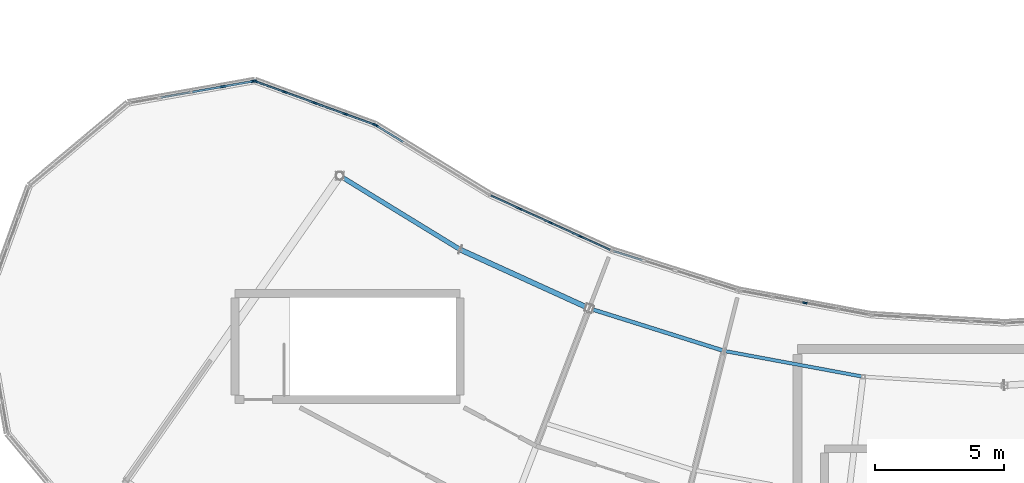
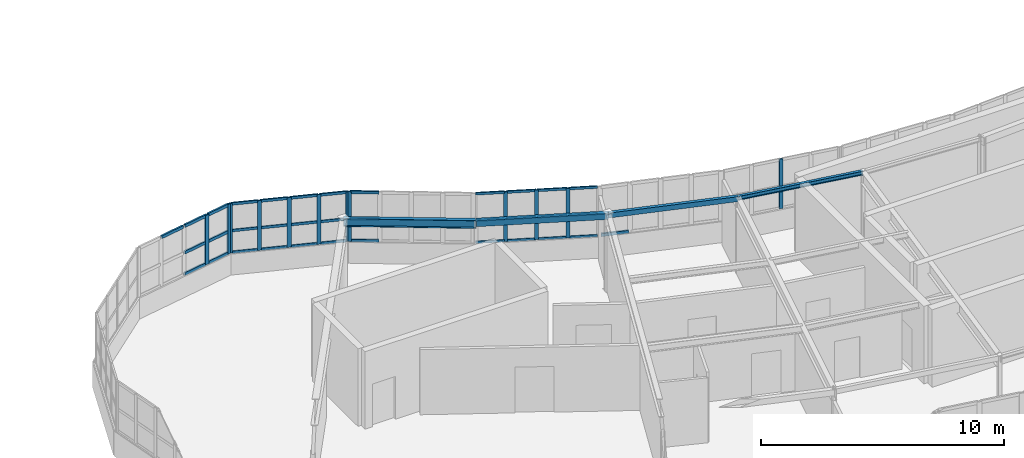
# One storey, part 17 of 60: 47 members, 4 beams, 6 elements without a shape of their own.
"""IFC4 building model written with IfcOpenShell, lengths in metres."""

from ifc_helpers import new_model, si_unit, direction, frame, origin, origin_2d, place, context, subcontext, project, spatial, rectangle, hollow_rectangle, i_section, extrude, material, layer, layer_set, material_profile, profile_set, type_object, element, aggregate, save


model = new_model("IFC4")

# Units and contexts
model_context = context("Model", 3, precision=1e-05, world=origin(), true_north=direction((0.0, 1.0)))
body_context = subcontext(model_context, "Body", "Model", "MODEL_VIEW")
ifc_project = project(units=[si_unit("LENGTHUNIT", "METRE"), si_unit("AREAUNIT", "SQUARE_METRE"), si_unit("VOLUMEUNIT", "CUBIC_METRE"), si_unit("PLANEANGLEUNIT", "RADIAN"), si_unit("MASSUNIT", "GRAM", prefix="KILO")], contexts=[model_context])

# Site, building, storey
site_placement = place(None, origin())
site = spatial("IfcSite", under=ifc_project, at=site_placement, CompositionType="ELEMENT")
building_placement = place(site_placement, origin())
building = spatial("IfcBuilding", under=site, at=building_placement, Name="Tarnwether General Hospital", CompositionType="ELEMENT")
storey_placement = place(building_placement, frame((0.0, 0.0, 26.10009765625)))
storey = spatial("IfcBuildingStorey", under=building, at=storey_placement, Name="L06", CompositionType="ELEMENT", Elevation=26.10009765625)

# Beams
ifc_material_1 = material(Name="Steel Grade 350 (350 MPa)", Category="steel")
ifc_material_profile_1 = material_profile(ifc_material_1, i_section(OverallWidth=0.177978515625, OverallDepth=0.403076171875, WebThickness=0.007568359375, FlangeThickness=0.010986328125, at=origin_2d()), Name="410UB53.7")
ifc_profile_set_1 = profile_set([ifc_material_profile_1], Name="Steel Grade 350 (350 MPa)")
beam_type_1 = type_object("IfcBeamType", Name="BM-SP2", PredefinedType="SPANDREL", material=ifc_profile_set_1)
beam_1_placement = place(storey_placement, frame((66.303955078125, 26.302001953125, 3.698486328125), z_axis=(0.85265897909, -0.522467860617, 0.0), x_axis=(0.522467860617, 0.85265897909, 0.0)))
element("IfcBeam", 1, at=beam_1_placement, inside=storey, type_object=beam_type_1, Name="Curved Ward SE Inner Spandrel BMG-L06-6630_2630-7097_2344-2199", PredefinedType="SPANDREL", context=body_context, shape_type="SweptSolid", body=[
    extrude(i_section(OverallWidth=0.177978515625, OverallDepth=0.403076171875, WebThickness=0.007568359375, FlangeThickness=0.010986328125, at=origin_2d()), origin(), (0.0, 0.0, 1.0), 5.469970703125),
])
ifc_material_2 = material(Name="Steel Grade C350L0 (350 MPa)", Category="steel")
ifc_material_profile_2 = material_profile(ifc_material_2, hollow_rectangle(XDim=0.199951171875, YDim=0.300048828125, WallThickness=0.012451171875, at=origin_2d()), Name="RHS300x200x12.5")
ifc_profile_set_2 = profile_set([ifc_material_profile_2], Name="Steel Grade C350L0 (350 MPa)")
beam_type_2 = type_object("IfcBeamType", Name="BM-SP3", PredefinedType="SPANDREL", material=ifc_profile_set_2)
beam_2_placement = place(storey_placement, frame((70.968017578125, 23.444091796875, 3.75), z_axis=(0.909968605358, -0.414677148228, 0.0), x_axis=(0.414677148228, 0.909968605358, 0.0)))
element("IfcBeam", 2, at=beam_2_placement, inside=storey, type_object=beam_type_2, Name="Curved Ward SE Inner Spandrel BMG-L06-7097_2344-7594_2118-2201", PredefinedType="SPANDREL", context=body_context, shape_type="SweptSolid", body=[
    extrude(hollow_rectangle(XDim=0.199951171875, YDim=0.300048828125, WallThickness=0.012451171875, at=origin_2d()), origin(), (0.0, 0.0, 1.0), 5.469482421875),
])
ifc_material_3 = material(Name="Steel Grade C350L0 (350 MPa)", Category="steel")
ifc_material_profile_3 = material_profile(ifc_material_3, hollow_rectangle(XDim=0.14990234375, YDim=0.25, WallThickness=0.010009765625, at=origin_2d()), Name="RHS250x150x10")
ifc_profile_set_3 = profile_set([ifc_material_profile_3], Name="Steel Grade C350L0 (350 MPa)")
beam_type_3 = type_object("IfcBeamType", Name="BM-SP4", PredefinedType="SPANDREL", material=ifc_profile_set_3)
beam_3_placement = place(storey_placement, frame((75.945068359375, 21.176025390625, 3.77490234375), z_axis=(0.953712084488, -0.300721232874, 0.0), x_axis=(0.300721232874, 0.953712084488, 0.0)))
element("IfcBeam", 3, at=beam_3_placement, inside=storey, type_object=beam_type_3, Name="Curved Ward SE Inner Spandrel BMG-L06-7594_2118-8116_1953-2203", PredefinedType="SPANDREL", context=body_context, shape_type="SweptSolid", body=[
    extrude(hollow_rectangle(XDim=0.14990234375, YDim=0.25, WallThickness=0.010009765625, at=origin_2d()), origin(), (0.0, 0.0, 1.0), 5.47021484375),
])
ifc_material_4 = material(Name="Steel Grade 350 (350 MPa)", Category="steel")
ifc_material_profile_4 = material_profile(ifc_material_4, i_section(OverallWidth=0.133056640625, OverallDepth=0.202880859375, WebThickness=0.005859375, FlangeThickness=0.0078125, at=origin_2d()), Name="200UB25.4")
ifc_profile_set_4 = profile_set([ifc_material_profile_4], Name="Steel Grade 350 (350 MPa)")
beam_type_4 = type_object("IfcBeamType", Name="BM-SP5", PredefinedType="SPANDREL", material=ifc_profile_set_4)
beam_4_placement = place(storey_placement, frame((81.162109375, 19.531005859375, 3.79833984375), z_axis=(0.983244096291, -0.18229384825, 0.0), x_axis=(0.18229384825, 0.983244096291, 0.0)))
element("IfcBeam", 4, at=beam_4_placement, inside=storey, type_object=beam_type_4, Name="Curved Ward SE Inner Spandrel BMG-L06-8116_1953-8654_1853-2207", PredefinedType="SPANDREL", context=body_context, shape_type="SweptSolid", body=[
    extrude(i_section(OverallWidth=0.133056640625, OverallDepth=0.202880859375, WebThickness=0.005859375, FlangeThickness=0.0078125, at=origin_2d()), origin(), (0.0, 0.0, 1.0), 5.469482421875),
])

# Curtain wall, members
ifc_material_5 = material(Name="Anodised aluminium", Category="aluminium")
ifc_layer = layer(ifc_material_5, 0.159912109375)
ifc_layer_set = layer_set([ifc_layer], Name="Anodised aluminium")
curtain_wall_type = type_object("IfcCurtainWallType", Name="CW-03", PredefinedType="NOTDEFINED", material=ifc_layer_set)
curtain_wall_1_placement = place(storey_placement, origin())
curtain_wall_1 = element("IfcCurtainWall", 5, at=curtain_wall_1_placement, inside=storey, type_object=curtain_wall_type, Name="Curtain Wall CWG-L06-721_256-0265", PredefinedType="NOTDEFINED")
ifc_material_6 = material(Name="Anodised aluminium", Category="aluminium")
ifc_material_profile_5 = material_profile(ifc_material_6, rectangle(XDim=0.06005859375, YDim=0.159912109375, at=origin_2d()), Name="ALU-MUL-60x160")
ifc_profile_set_5 = profile_set([ifc_material_profile_5], Name="Anodised aluminium")
member_type_1 = type_object("IfcMemberType", Name="CW-ML1", PredefinedType="MULLION", material=ifc_profile_set_5)
member_1_placement = place(storey_placement, frame((73.271728515625, 25.0263671875, 1.0498046875), z_axis=(0.0, 0.0, 1.0), x_axis=(0.41470501572, 0.90995590549, 0.0)))
member_1 = element("IfcMember", 6, at=member_1_placement, type_object=member_type_1, Name="CW-03 mullion 2", PredefinedType="MULLION", context=body_context, shape_type="SweptSolid", body=[
    extrude(rectangle(XDim=0.06005859375, YDim=0.159912109375, at=origin_2d()), origin(), (0.0, 0.0, 1.0), 2.4951171875),
])
member_2_placement = place(storey_placement, frame((74.449462890625, 24.489501953125, 1.0498046875), z_axis=(0.0, 0.0, 1.0), x_axis=(0.41470501572, 0.90995590549, 0.0)))
member_2 = element("IfcMember", 7, at=member_2_placement, type_object=member_type_1, Name="CW-03 mullion 3", PredefinedType="MULLION", context=body_context, shape_type="SweptSolid", body=[
    extrude(rectangle(XDim=0.06005859375, YDim=0.159912109375, at=origin_2d()), origin(), (0.0, 0.0, 1.0), 2.4951171875),
])
member_3_placement = place(storey_placement, frame((75.627197265625, 23.95263671875, 1.0498046875), z_axis=(0.0, 0.0, 1.0), x_axis=(0.41470501572, 0.90995590549, 0.0)))
member_3 = element("IfcMember", 8, at=member_3_placement, type_object=member_type_1, Name="CW-03 mullion 4", PredefinedType="MULLION", context=body_context, shape_type="SweptSolid", body=[
    extrude(rectangle(XDim=0.06005859375, YDim=0.159912109375, at=origin_2d()), origin(), (0.0, 0.0, 1.0), 2.4951171875),
])

# Curtain wall, member
curtain_wall_2_placement = place(storey_placement, origin())
curtain_wall_2 = element("IfcCurtainWall", 9, at=curtain_wall_2_placement, inside=storey, type_object=curtain_wall_type, Name="Curtain Wall CWG-L06-677_283-0266", PredefinedType="NOTDEFINED")
ifc_material_7 = material(Name="Anodised aluminium", Category="aluminium")
ifc_material_profile_6 = material_profile(ifc_material_7, rectangle(XDim=0.070068359375, YDim=0.179931640625, at=origin_2d()), Name="ALU-MUL-70x180")
ifc_profile_set_6 = profile_set([ifc_material_profile_6], Name="Anodised aluminium")
member_type_2 = type_object("IfcMemberType", Name="CW-ML2", PredefinedType="MULLION", material=ifc_profile_set_6)
member_4_placement = place(storey_placement, frame((67.7099609375, 28.249755859375, 1.0498046875), z_axis=(0.0, 0.0, 1.0), x_axis=(0.522512231483, 0.852631789198, 0.0)))
member_4 = element("IfcMember", 10, at=member_4_placement, type_object=member_type_2, Name="CW-03 mullion 1", PredefinedType="MULLION", context=body_context, shape_type="SweptSolid", body=[
    extrude(rectangle(XDim=0.070068359375, YDim=0.179931640625, at=origin_2d()), origin(), (0.0, 0.0, 1.0), 2.4951171875),
])

curtain_wall_3_placement = place(storey_placement, origin())
curtain_wall_3 = element("IfcCurtainWall", 11, at=curtain_wall_3_placement, inside=storey, type_object=curtain_wall_type, Name="Curtain Wall CWG-L06-817_219-0263", PredefinedType="NOTDEFINED")
ifc_material_8 = material(Name="Anodised aluminium", Category="aluminium")
ifc_material_profile_7 = material_profile(ifc_material_8, rectangle(XDim=0.06494140625, YDim=0.169921875, at=origin_2d()), Name="ALU-MUL-65x170")
ifc_profile_set_7 = profile_set([ifc_material_profile_7], Name="Anodised aluminium")
member_type_3 = type_object("IfcMemberType", Name="CW-ML3", PredefinedType="MULLION", material=ifc_profile_set_7)
member_5_placement = place(storey_placement, frame((84.2880859375, 21.387451171875, 1.0498046875), z_axis=(0.0, 0.0, 1.0), x_axis=(0.182165351666, 0.983267910924, 0.0)))
member_5 = element("IfcMember", 12, at=member_5_placement, type_object=member_type_3, Name="CW-03 mullion 3", PredefinedType="MULLION", context=body_context, shape_type="SweptSolid", body=[
    extrude(rectangle(XDim=0.06494140625, YDim=0.169921875, at=origin_2d()), origin(), (0.0, 0.0, 1.0), 2.4951171875),
])
aggregate(curtain_wall_3, [member_5])

# Curtain wall, members
curtain_wall_4_placement = place(storey_placement, origin())
curtain_wall_4 = element("IfcCurtainWall", 13, at=curtain_wall_4_placement, inside=storey, type_object=curtain_wall_type, Name="Curtain Wall CWG-L06-630_300-0267", PredefinedType="NOTDEFINED")
member_6_placement = place(storey_placement, frame((63.04150390625, 29.956787109375, 1.0498046875), z_axis=(0.0, 0.0, 1.0), x_axis=(0.342130850834, 0.939652319163, 0.0)))
member_6 = element("IfcMember", 14, at=member_6_placement, type_object=member_type_3, Name="CW-03 mullion 1", PredefinedType="MULLION", context=body_context, shape_type="SweptSolid", body=[
    extrude(rectangle(XDim=0.06494140625, YDim=0.169921875, at=origin_2d()), origin(), (0.0, 0.0, 1.0), 2.4951171875),
])
member_7_placement = place(storey_placement, frame((64.17822265625, 29.54296875, 1.0498046875), z_axis=(0.0, 0.0, 1.0), x_axis=(0.342130850834, 0.939652319163, 0.0)))
member_7 = element("IfcMember", 15, at=member_7_placement, type_object=member_type_3, Name="CW-03 mullion 2", PredefinedType="MULLION", context=body_context, shape_type="SweptSolid", body=[
    extrude(rectangle(XDim=0.06494140625, YDim=0.169921875, at=origin_2d()), origin(), (0.0, 0.0, 1.0), 2.4951171875),
])
member_8_placement = place(storey_placement, frame((65.345458984375, 29.117919921875, 1.0498046875), z_axis=(0.0, 0.0, 1.0), x_axis=(0.342130850834, 0.939652319163, 0.0)))
member_8 = element("IfcMember", 16, at=member_8_placement, type_object=member_type_3, Name="CW-03 mullion 3", PredefinedType="MULLION", context=body_context, shape_type="SweptSolid", body=[
    extrude(rectangle(XDim=0.06494140625, YDim=0.169921875, at=origin_2d()), origin(), (0.0, 0.0, 1.0), 2.4951171875),
])
member_9_placement = place(storey_placement, frame((66.5126953125, 28.693115234375, 1.0498046875), z_axis=(0.0, 0.0, 1.0), x_axis=(0.342130850834, 0.939652319163, 0.0)))
member_9 = element("IfcMember", 17, at=member_9_placement, type_object=member_type_3, Name="CW-03 mullion 4", PredefinedType="MULLION", context=body_context, shape_type="SweptSolid", body=[
    extrude(rectangle(XDim=0.06494140625, YDim=0.169921875, at=origin_2d()), origin(), (0.0, 0.0, 1.0), 2.4951171875),
])
member_10_placement = place(storey_placement, frame((67.6494140625, 28.279052734375, 1.0498046875), z_axis=(0.0, 0.0, 1.0), x_axis=(0.342130850834, 0.939652319163, 0.0)))
member_10 = element("IfcMember", 18, at=member_10_placement, type_object=member_type_3, Name="CW-03 mullion 5", PredefinedType="MULLION", context=body_context, shape_type="SweptSolid", body=[
    extrude(rectangle(XDim=0.06494140625, YDim=0.169921875, at=origin_2d()), origin(), (0.0, 0.0, 1.0), 2.4951171875),
])

curtain_wall_5_placement = place(storey_placement, origin())
curtain_wall_5 = element("IfcCurtainWall", 19, at=curtain_wall_5_placement, inside=storey, type_object=curtain_wall_type, Name="Curtain Wall CWG-L06-581_291-0268", PredefinedType="NOTDEFINED")
ifc_material_9 = material(Name="Anodised aluminium", Category="aluminium")
ifc_material_profile_8 = material_profile(ifc_material_9, rectangle(XDim=0.080078125, YDim=0.199951171875, at=origin_2d()), Name="ALU-MUL-80x200")
ifc_profile_set_8 = profile_set([ifc_material_profile_8], Name="Anodised aluminium")
member_type_4 = type_object("IfcMemberType", Name="CW-ML4", PredefinedType="MULLION", material=ifc_profile_set_8)
member_11_placement = place(storey_placement, frame((61.78759765625, 29.752197265625, 1.0498046875), z_axis=(0.0, 0.0, 1.0), x_axis=(-0.173659059054, 0.984805834268, 0.0)))
member_11 = element("IfcMember", 20, at=member_11_placement, type_object=member_type_4, Name="CW-03 mullion 4", PredefinedType="MULLION", context=body_context, shape_type="SweptSolid", body=[
    extrude(rectangle(XDim=0.080078125, YDim=0.199951171875, at=origin_2d()), origin(), (0.0, 0.0, 1.0), 2.4951171875),
])
member_12_placement = place(storey_placement, frame((62.9716796875, 29.9609375, 1.0498046875), z_axis=(0.0, 0.0, 1.0), x_axis=(-0.173659059054, 0.984805834268, 0.0)))
member_12 = element("IfcMember", 21, at=member_12_placement, type_object=member_type_4, Name="CW-03 mullion 5", PredefinedType="MULLION", context=body_context, shape_type="SweptSolid", body=[
    extrude(rectangle(XDim=0.080078125, YDim=0.199951171875, at=origin_2d()), origin(), (0.0, 0.0, 1.0), 2.4951171875),
])

# Member
ifc_material_10 = material(Name="Anodised aluminium", Category="aluminium")
ifc_material_profile_9 = material_profile(ifc_material_10, rectangle(XDim=0.06005859375, YDim=0.1201171875, at=origin_2d()), Name="ALU-TRN-60x120")
ifc_profile_set_9 = profile_set([ifc_material_profile_9], Name="Anodised aluminium")
member_type_5 = type_object("IfcMemberType", Name="CW-TR1", PredefinedType="USERDEFINED", material=ifc_profile_set_9)
member_13_placement = place(storey_placement, frame((72.148681640625, 25.5380859375, 1.079833984375), z_axis=(0.90990766598, -0.414810847726, 0.0), x_axis=(0.414810847726, 0.90990766598, 0.0)))
member_13 = element("IfcMember", 22, at=member_13_placement, type_object=member_type_5, Name="CW-03 transom 1.1", ObjectType="TRANSOM", PredefinedType="USERDEFINED", context=body_context, shape_type="SweptSolid", body=[
    extrude(rectangle(XDim=0.06005859375, YDim=0.1201171875, at=origin_2d()), origin(), (0.0, 0.0, 1.0), 1.2041015625),
])

member_14_placement = place(storey_placement, frame((72.148681640625, 25.5380859375, 2.172607421875), z_axis=(0.90990766598, -0.414810847726, 0.0), x_axis=(0.414810847726, 0.90990766598, 0.0)))
member_14 = element("IfcMember", 23, at=member_14_placement, type_object=member_type_5, Name="CW-03 transom 1.2", ObjectType="TRANSOM", PredefinedType="USERDEFINED", context=body_context, shape_type="SweptSolid", body=[
    extrude(rectangle(XDim=0.06005859375, YDim=0.1201171875, at=origin_2d()), origin(), (0.0, 0.0, 1.0), 1.2041015625),
])

member_15_placement = place(storey_placement, frame((72.148681640625, 25.5380859375, 3.514892578125), z_axis=(0.90990766598, -0.414810847726, 0.0), x_axis=(0.414810847726, 0.90990766598, 0.0)))
member_15 = element("IfcMember", 24, at=member_15_placement, type_object=member_type_5, Name="CW-03 transom 1.3", ObjectType="TRANSOM", PredefinedType="USERDEFINED", context=body_context, shape_type="SweptSolid", body=[
    extrude(rectangle(XDim=0.06005859375, YDim=0.1201171875, at=origin_2d()), origin(), (0.0, 0.0, 1.0), 1.2041015625),
])

member_16_placement = place(storey_placement, frame((73.299072265625, 25.013916015625, 1.079833984375), z_axis=(0.909912057704, -0.414801214132, 0.0), x_axis=(0.414801214132, 0.909912057704, 0.0)))
member_16 = element("IfcMember", 25, at=member_16_placement, type_object=member_type_5, Name="CW-03 transom 2.1", ObjectType="TRANSOM", PredefinedType="USERDEFINED", context=body_context, shape_type="SweptSolid", body=[
    extrude(rectangle(XDim=0.06005859375, YDim=0.1201171875, at=origin_2d()), origin(), (0.0, 0.0, 1.0), 1.234130859375),
])

member_17_placement = place(storey_placement, frame((73.299072265625, 25.013916015625, 2.172607421875), z_axis=(0.909912057704, -0.414801214132, 0.0), x_axis=(0.414801214132, 0.909912057704, 0.0)))
member_17 = element("IfcMember", 26, at=member_17_placement, type_object=member_type_5, Name="CW-03 transom 2.2", ObjectType="TRANSOM", PredefinedType="USERDEFINED", context=body_context, shape_type="SweptSolid", body=[
    extrude(rectangle(XDim=0.06005859375, YDim=0.1201171875, at=origin_2d()), origin(), (0.0, 0.0, 1.0), 1.234130859375),
])

member_18_placement = place(storey_placement, frame((73.299072265625, 25.013916015625, 3.514892578125), z_axis=(0.909912057704, -0.414801214132, 0.0), x_axis=(0.414801214132, 0.909912057704, 0.0)))
member_18 = element("IfcMember", 27, at=member_18_placement, type_object=member_type_5, Name="CW-03 transom 2.3", ObjectType="TRANSOM", PredefinedType="USERDEFINED", context=body_context, shape_type="SweptSolid", body=[
    extrude(rectangle(XDim=0.06005859375, YDim=0.1201171875, at=origin_2d()), origin(), (0.0, 0.0, 1.0), 1.234130859375),
])

member_19_placement = place(storey_placement, frame((74.476806640625, 24.47705078125, 1.079833984375), z_axis=(0.909912057704, -0.414801214132, 0.0), x_axis=(0.414801214132, 0.909912057704, 0.0)))
member_19 = element("IfcMember", 28, at=member_19_placement, type_object=member_type_5, Name="CW-03 transom 3.1", ObjectType="TRANSOM", PredefinedType="USERDEFINED", context=body_context, shape_type="SweptSolid", body=[
    extrude(rectangle(XDim=0.06005859375, YDim=0.1201171875, at=origin_2d()), origin(), (0.0, 0.0, 1.0), 1.234130859375),
])

member_20_placement = place(storey_placement, frame((74.476806640625, 24.47705078125, 2.172607421875), z_axis=(0.909912057704, -0.414801214132, 0.0), x_axis=(0.414801214132, 0.909912057704, 0.0)))
member_20 = element("IfcMember", 29, at=member_20_placement, type_object=member_type_5, Name="CW-03 transom 3.2", ObjectType="TRANSOM", PredefinedType="USERDEFINED", context=body_context, shape_type="SweptSolid", body=[
    extrude(rectangle(XDim=0.06005859375, YDim=0.1201171875, at=origin_2d()), origin(), (0.0, 0.0, 1.0), 1.234130859375),
])

member_21_placement = place(storey_placement, frame((74.476806640625, 24.47705078125, 3.514892578125), z_axis=(0.909912057704, -0.414801214132, 0.0), x_axis=(0.414801214132, 0.909912057704, 0.0)))
member_21 = element("IfcMember", 30, at=member_21_placement, type_object=member_type_5, Name="CW-03 transom 3.3", ObjectType="TRANSOM", PredefinedType="USERDEFINED", context=body_context, shape_type="SweptSolid", body=[
    extrude(rectangle(XDim=0.06005859375, YDim=0.1201171875, at=origin_2d()), origin(), (0.0, 0.0, 1.0), 1.234130859375),
])

member_22_placement = place(storey_placement, frame((75.654541015625, 23.9404296875, 1.079833984375), z_axis=(0.909942541807, -0.414734337389, 0.0), x_axis=(0.414734337389, 0.909942541807, 0.0)))
member_22 = element("IfcMember", 31, at=member_22_placement, type_object=member_type_5, Name="CW-03 transom 4.1", ObjectType="TRANSOM", PredefinedType="USERDEFINED", context=body_context, shape_type="SweptSolid", body=[
    extrude(rectangle(XDim=0.06005859375, YDim=0.1201171875, at=origin_2d()), origin(), (0.0, 0.0, 1.0), 1.204345703125),
])

member_23_placement = place(storey_placement, frame((75.654541015625, 23.9404296875, 2.172607421875), z_axis=(0.909942541807, -0.414734337389, 0.0), x_axis=(0.414734337389, 0.909942541807, 0.0)))
member_23 = element("IfcMember", 32, at=member_23_placement, type_object=member_type_5, Name="CW-03 transom 4.2", ObjectType="TRANSOM", PredefinedType="USERDEFINED", context=body_context, shape_type="SweptSolid", body=[
    extrude(rectangle(XDim=0.06005859375, YDim=0.1201171875, at=origin_2d()), origin(), (0.0, 0.0, 1.0), 1.204345703125),
])

member_24_placement = place(storey_placement, frame((75.654541015625, 23.9404296875, 3.514892578125), z_axis=(0.909942541807, -0.414734337389, 0.0), x_axis=(0.414734337389, 0.909942541807, 0.0)))
member_24 = element("IfcMember", 33, at=member_24_placement, type_object=member_type_5, Name="CW-03 transom 4.3", ObjectType="TRANSOM", PredefinedType="USERDEFINED", context=body_context, shape_type="SweptSolid", body=[
    extrude(rectangle(XDim=0.06005859375, YDim=0.1201171875, at=origin_2d()), origin(), (0.0, 0.0, 1.0), 1.204345703125),
])

aggregate(curtain_wall_1, [member_1, member_2, member_3, member_13, member_14, member_15, member_16, member_17, member_18, member_19, member_20, member_21, member_22, member_23, member_24])

ifc_material_11 = material(Name="Anodised aluminium", Category="aluminium")
ifc_material_profile_10 = material_profile(ifc_material_11, rectangle(XDim=0.070068359375, YDim=0.139892578125, at=origin_2d()), Name="ALU-TRN-70x140")
ifc_profile_set_10 = profile_set([ifc_material_profile_10], Name="Anodised aluminium")
member_type_6 = type_object("IfcMemberType", Name="CW-TR2", PredefinedType="USERDEFINED", material=ifc_profile_set_10)
member_25_placement = place(storey_placement, frame((67.73974609375, 28.2314453125, 1.0849609375), z_axis=(0.852636658785, -0.522504285242, 0.0), x_axis=(0.522504285242, 0.852636658785, 0.0)))
member_25 = element("IfcMember", 34, at=member_25_placement, type_object=member_type_6, Name="CW-03 transom 1.1", ObjectType="TRANSOM", PredefinedType="USERDEFINED", context=body_context, shape_type="SweptSolid", body=[
    extrude(rectangle(XDim=0.070068359375, YDim=0.139892578125, at=origin_2d()), origin(), (0.0, 0.0, 1.0), 1.189208984375),
])

member_26_placement = place(storey_placement, frame((67.73974609375, 28.2314453125, 2.172607421875), z_axis=(0.852636658785, -0.522504285242, 0.0), x_axis=(0.522504285242, 0.852636658785, 0.0)))
member_26 = element("IfcMember", 35, at=member_26_placement, type_object=member_type_6, Name="CW-03 transom 1.2", ObjectType="TRANSOM", PredefinedType="USERDEFINED", context=body_context, shape_type="SweptSolid", body=[
    extrude(rectangle(XDim=0.070068359375, YDim=0.139892578125, at=origin_2d()), origin(), (0.0, 0.0, 1.0), 1.189208984375),
])

member_27_placement = place(storey_placement, frame((67.73974609375, 28.2314453125, 3.510009765625), z_axis=(0.852636658785, -0.522504285242, 0.0), x_axis=(0.522504285242, 0.852636658785, 0.0)))
member_27 = element("IfcMember", 36, at=member_27_placement, type_object=member_type_6, Name="CW-03 transom 1.3", ObjectType="TRANSOM", PredefinedType="USERDEFINED", context=body_context, shape_type="SweptSolid", body=[
    extrude(rectangle(XDim=0.070068359375, YDim=0.139892578125, at=origin_2d()), origin(), (0.0, 0.0, 1.0), 1.189208984375),
])

aggregate(curtain_wall_2, [member_4, member_25, member_26, member_27])

ifc_material_12 = material(Name="Anodised aluminium", Category="aluminium")
ifc_material_profile_11 = material_profile(ifc_material_12, rectangle(XDim=0.06494140625, YDim=0.1298828125, at=origin_2d()), Name="ALU-TRN-65x130")
ifc_profile_set_11 = profile_set([ifc_material_profile_11], Name="Anodised aluminium")
member_type_7 = type_object("IfcMemberType", Name="CW-TR3", PredefinedType="USERDEFINED", material=ifc_profile_set_11)
member_28_placement = place(storey_placement, frame((63.072021484375, 29.94580078125, 1.08251953125), z_axis=(0.9396688237, -0.342085518206, 0.0), x_axis=(0.342085518206, 0.9396688237, 0.0)))
member_28 = element("IfcMember", 37, at=member_28_placement, type_object=member_type_7, Name="CW-03 transom 1.1", ObjectType="TRANSOM", PredefinedType="USERDEFINED", context=body_context, shape_type="SweptSolid", body=[
    extrude(rectangle(XDim=0.06494140625, YDim=0.1298828125, at=origin_2d()), origin(), (0.0, 0.0, 1.0), 1.144775390625),
])

member_29_placement = place(storey_placement, frame((63.072021484375, 29.94580078125, 2.172607421875), z_axis=(0.9396688237, -0.342085518206, 0.0), x_axis=(0.342085518206, 0.9396688237, 0.0)))
member_29 = element("IfcMember", 38, at=member_29_placement, type_object=member_type_7, Name="CW-03 transom 1.2", ObjectType="TRANSOM", PredefinedType="USERDEFINED", context=body_context, shape_type="SweptSolid", body=[
    extrude(rectangle(XDim=0.06494140625, YDim=0.1298828125, at=origin_2d()), origin(), (0.0, 0.0, 1.0), 1.144775390625),
])

member_30_placement = place(storey_placement, frame((63.072021484375, 29.94580078125, 3.512451171875), z_axis=(0.9396688237, -0.342085518206, 0.0), x_axis=(0.342085518206, 0.9396688237, 0.0)))
member_30 = element("IfcMember", 39, at=member_30_placement, type_object=member_type_7, Name="CW-03 transom 1.3", ObjectType="TRANSOM", PredefinedType="USERDEFINED", context=body_context, shape_type="SweptSolid", body=[
    extrude(rectangle(XDim=0.06494140625, YDim=0.1298828125, at=origin_2d()), origin(), (0.0, 0.0, 1.0), 1.144775390625),
])

member_31_placement = place(storey_placement, frame((64.208740234375, 29.531982421875, 1.08251953125), z_axis=(0.939635897103, -0.34217595017, 0.0), x_axis=(0.34217595017, 0.939635897103, 0.0)))
member_31 = element("IfcMember", 40, at=member_31_placement, type_object=member_type_7, Name="CW-03 transom 2.1", ObjectType="TRANSOM", PredefinedType="USERDEFINED", context=body_context, shape_type="SweptSolid", body=[
    extrude(rectangle(XDim=0.06494140625, YDim=0.1298828125, at=origin_2d()), origin(), (0.0, 0.0, 1.0), 1.17724609375),
])

member_32_placement = place(storey_placement, frame((64.208740234375, 29.531982421875, 2.172607421875), z_axis=(0.939635897103, -0.34217595017, 0.0), x_axis=(0.34217595017, 0.939635897103, 0.0)))
member_32 = element("IfcMember", 41, at=member_32_placement, type_object=member_type_7, Name="CW-03 transom 2.2", ObjectType="TRANSOM", PredefinedType="USERDEFINED", context=body_context, shape_type="SweptSolid", body=[
    extrude(rectangle(XDim=0.06494140625, YDim=0.1298828125, at=origin_2d()), origin(), (0.0, 0.0, 1.0), 1.17724609375),
])

member_33_placement = place(storey_placement, frame((64.208740234375, 29.531982421875, 3.512451171875), z_axis=(0.939635897103, -0.34217595017, 0.0), x_axis=(0.34217595017, 0.939635897103, 0.0)))
member_33 = element("IfcMember", 42, at=member_33_placement, type_object=member_type_7, Name="CW-03 transom 2.3", ObjectType="TRANSOM", PredefinedType="USERDEFINED", context=body_context, shape_type="SweptSolid", body=[
    extrude(rectangle(XDim=0.06494140625, YDim=0.1298828125, at=origin_2d()), origin(), (0.0, 0.0, 1.0), 1.17724609375),
])

member_34_placement = place(storey_placement, frame((65.3759765625, 29.10693359375, 1.08251953125), z_axis=(0.939635897103, -0.34217595017, 0.0), x_axis=(0.34217595017, 0.939635897103, 0.0)))
member_34 = element("IfcMember", 43, at=member_34_placement, type_object=member_type_7, Name="CW-03 transom 3.1", ObjectType="TRANSOM", PredefinedType="USERDEFINED", context=body_context, shape_type="SweptSolid", body=[
    extrude(rectangle(XDim=0.06494140625, YDim=0.1298828125, at=origin_2d()), origin(), (0.0, 0.0, 1.0), 1.17724609375),
])

member_35_placement = place(storey_placement, frame((65.3759765625, 29.10693359375, 2.172607421875), z_axis=(0.939635897103, -0.34217595017, 0.0), x_axis=(0.34217595017, 0.939635897103, 0.0)))
member_35 = element("IfcMember", 44, at=member_35_placement, type_object=member_type_7, Name="CW-03 transom 3.2", ObjectType="TRANSOM", PredefinedType="USERDEFINED", context=body_context, shape_type="SweptSolid", body=[
    extrude(rectangle(XDim=0.06494140625, YDim=0.1298828125, at=origin_2d()), origin(), (0.0, 0.0, 1.0), 1.17724609375),
])

member_36_placement = place(storey_placement, frame((65.3759765625, 29.10693359375, 3.512451171875), z_axis=(0.939635897103, -0.34217595017, 0.0), x_axis=(0.34217595017, 0.939635897103, 0.0)))
member_36 = element("IfcMember", 45, at=member_36_placement, type_object=member_type_7, Name="CW-03 transom 3.3", ObjectType="TRANSOM", PredefinedType="USERDEFINED", context=body_context, shape_type="SweptSolid", body=[
    extrude(rectangle(XDim=0.06494140625, YDim=0.1298828125, at=origin_2d()), origin(), (0.0, 0.0, 1.0), 1.17724609375),
])

member_37_placement = place(storey_placement, frame((66.543212890625, 28.681884765625, 1.08251953125), z_axis=(0.9396688237, -0.342085518206, 0.0), x_axis=(0.342085518206, 0.9396688237, 0.0)))
member_37 = element("IfcMember", 46, at=member_37_placement, type_object=member_type_7, Name="CW-03 transom 4.1", ObjectType="TRANSOM", PredefinedType="USERDEFINED", context=body_context, shape_type="SweptSolid", body=[
    extrude(rectangle(XDim=0.06494140625, YDim=0.1298828125, at=origin_2d()), origin(), (0.0, 0.0, 1.0), 1.144775390625),
])

member_38_placement = place(storey_placement, frame((66.543212890625, 28.681884765625, 2.172607421875), z_axis=(0.9396688237, -0.342085518206, 0.0), x_axis=(0.342085518206, 0.9396688237, 0.0)))
member_38 = element("IfcMember", 47, at=member_38_placement, type_object=member_type_7, Name="CW-03 transom 4.2", ObjectType="TRANSOM", PredefinedType="USERDEFINED", context=body_context, shape_type="SweptSolid", body=[
    extrude(rectangle(XDim=0.06494140625, YDim=0.1298828125, at=origin_2d()), origin(), (0.0, 0.0, 1.0), 1.144775390625),
])

member_39_placement = place(storey_placement, frame((66.543212890625, 28.681884765625, 3.512451171875), z_axis=(0.9396688237, -0.342085518206, 0.0), x_axis=(0.342085518206, 0.9396688237, 0.0)))
member_39 = element("IfcMember", 48, at=member_39_placement, type_object=member_type_7, Name="CW-03 transom 4.3", ObjectType="TRANSOM", PredefinedType="USERDEFINED", context=body_context, shape_type="SweptSolid", body=[
    extrude(rectangle(XDim=0.06494140625, YDim=0.1298828125, at=origin_2d()), origin(), (0.0, 0.0, 1.0), 1.144775390625),
])

aggregate(curtain_wall_4, [member_6, member_7, member_8, member_9, member_10, member_28, member_29, member_30, member_31, member_32, member_33, member_34, member_35, member_36, member_37, member_38, member_39])

# Curtain wall, member
curtain_wall_6_placement = place(storey_placement, origin())
curtain_wall_6 = element("IfcCurtainWall", 49, at=curtain_wall_6_placement, inside=storey, type_object=curtain_wall_type, Name="Curtain Wall CWG-L06-768_234-0264", PredefinedType="NOTDEFINED")
ifc_material_13 = material(Name="Anodised aluminium", Category="aluminium")
ifc_material_profile_12 = material_profile(ifc_material_13, rectangle(XDim=0.080078125, YDim=0.14990234375, at=origin_2d()), Name="ALU-TRN-80x150")
ifc_profile_set_12 = profile_set([ifc_material_profile_12], Name="Anodised aluminium")
member_type_8 = type_object("IfcMemberType", Name="CW-TR4", PredefinedType="USERDEFINED", material=ifc_profile_set_12)
member_40_placement = place(storey_placement, frame((76.88134765625, 23.391845703125, 1.08984375), z_axis=(0.953752168784, -0.300594079351, 0.0), x_axis=(0.300594079351, 0.953752168784, 0.0)))
member_40 = element("IfcMember", 50, at=member_40_placement, type_object=member_type_8, Name="CW-03 transom 1.1", ObjectType="TRANSOM", PredefinedType="USERDEFINED", context=body_context, shape_type="SweptSolid", body=[
    extrude(rectangle(XDim=0.080078125, YDim=0.14990234375, at=origin_2d()), origin(), (0.0, 0.0, 1.0), 1.17431640625),
])
aggregate(curtain_wall_6, [member_40])

# Member
member_41_placement = place(storey_placement, frame((59.3798828125, 29.32763671875, 3.5048828125), z_axis=(0.984800468802, 0.173689483408, 0.0), x_axis=(-0.173689483408, 0.984800468802, 0.0)))
member_41 = element("IfcMember", 51, at=member_41_placement, type_object=member_type_8, Name="CW-03 transom 2.3", ObjectType="TRANSOM", PredefinedType="USERDEFINED", context=body_context, shape_type="SweptSolid", body=[
    extrude(rectangle(XDim=0.080078125, YDim=0.14990234375, at=origin_2d()), origin(), (0.0, 0.0, 1.0), 1.162353515625),
])

member_42_placement = place(storey_placement, frame((60.603271484375, 29.54345703125, 1.08984375), z_axis=(0.984800468802, 0.173689483408, 0.0), x_axis=(-0.173689483408, 0.984800468802, 0.0)))
member_42 = element("IfcMember", 52, at=member_42_placement, type_object=member_type_8, Name="CW-03 transom 3.1", ObjectType="TRANSOM", PredefinedType="USERDEFINED", context=body_context, shape_type="SweptSolid", body=[
    extrude(rectangle(XDim=0.080078125, YDim=0.14990234375, at=origin_2d()), origin(), (0.0, 0.0, 1.0), 1.162353515625),
])

member_43_placement = place(storey_placement, frame((60.603271484375, 29.54345703125, 2.172607421875), z_axis=(0.984800468802, 0.173689483408, 0.0), x_axis=(-0.173689483408, 0.984800468802, 0.0)))
member_43 = element("IfcMember", 53, at=member_43_placement, type_object=member_type_8, Name="CW-03 transom 3.2", ObjectType="TRANSOM", PredefinedType="USERDEFINED", context=body_context, shape_type="SweptSolid", body=[
    extrude(rectangle(XDim=0.080078125, YDim=0.14990234375, at=origin_2d()), origin(), (0.0, 0.0, 1.0), 1.162353515625),
])

member_44_placement = place(storey_placement, frame((60.603271484375, 29.54345703125, 3.5048828125), z_axis=(0.984800468802, 0.173689483408, 0.0), x_axis=(-0.173689483408, 0.984800468802, 0.0)))
member_44 = element("IfcMember", 54, at=member_44_placement, type_object=member_type_8, Name="CW-03 transom 3.3", ObjectType="TRANSOM", PredefinedType="USERDEFINED", context=body_context, shape_type="SweptSolid", body=[
    extrude(rectangle(XDim=0.080078125, YDim=0.14990234375, at=origin_2d()), origin(), (0.0, 0.0, 1.0), 1.162353515625),
])

member_45_placement = place(storey_placement, frame((61.826904296875, 29.75927734375, 1.08984375), z_axis=(0.984816391651, 0.173599178383, 0.0), x_axis=(-0.173599178383, 0.984816391651, 0.0)))
member_45 = element("IfcMember", 55, at=member_45_placement, type_object=member_type_8, Name="CW-03 transom 4.1", ObjectType="TRANSOM", PredefinedType="USERDEFINED", context=body_context, shape_type="SweptSolid", body=[
    extrude(rectangle(XDim=0.080078125, YDim=0.14990234375, at=origin_2d()), origin(), (0.0, 0.0, 1.0), 1.122314453125),
])

member_46_placement = place(storey_placement, frame((61.826904296875, 29.75927734375, 2.172607421875), z_axis=(0.984816391651, 0.173599178383, 0.0), x_axis=(-0.173599178383, 0.984816391651, 0.0)))
member_46 = element("IfcMember", 56, at=member_46_placement, type_object=member_type_8, Name="CW-03 transom 4.2", ObjectType="TRANSOM", PredefinedType="USERDEFINED", context=body_context, shape_type="SweptSolid", body=[
    extrude(rectangle(XDim=0.080078125, YDim=0.14990234375, at=origin_2d()), origin(), (0.0, 0.0, 1.0), 1.122314453125),
])

member_47_placement = place(storey_placement, frame((61.826904296875, 29.75927734375, 3.5048828125), z_axis=(0.984816391651, 0.173599178383, 0.0), x_axis=(-0.173599178383, 0.984816391651, 0.0)))
member_47 = element("IfcMember", 57, at=member_47_placement, type_object=member_type_8, Name="CW-03 transom 4.3", ObjectType="TRANSOM", PredefinedType="USERDEFINED", context=body_context, shape_type="SweptSolid", body=[
    extrude(rectangle(XDim=0.080078125, YDim=0.14990234375, at=origin_2d()), origin(), (0.0, 0.0, 1.0), 1.122314453125),
])

aggregate(curtain_wall_5, [member_11, member_12, member_41, member_42, member_43, member_44, member_45, member_46, member_47])

save(model, "model.ifc")
